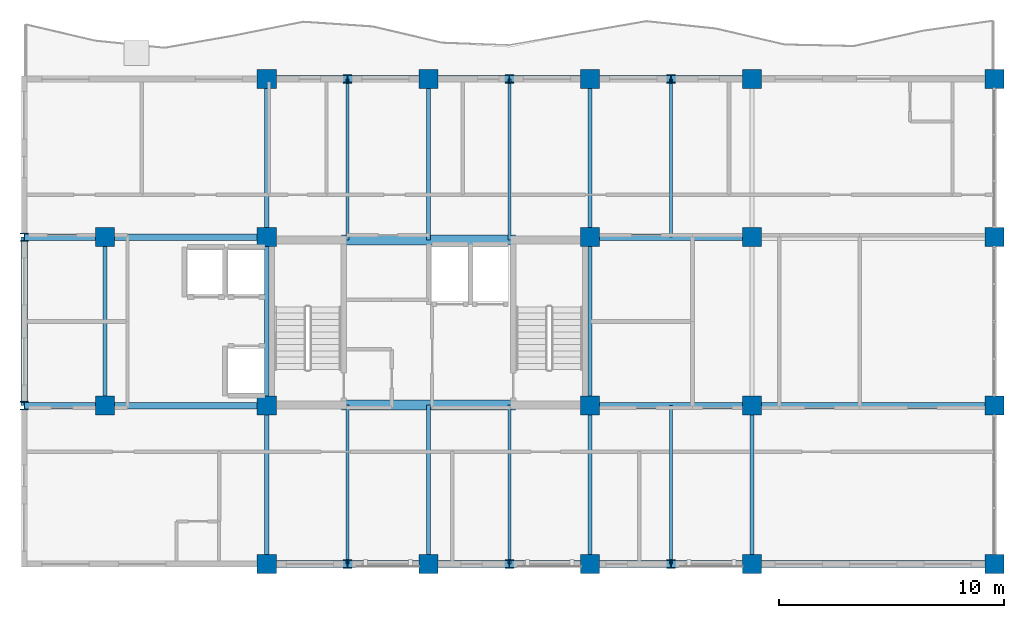
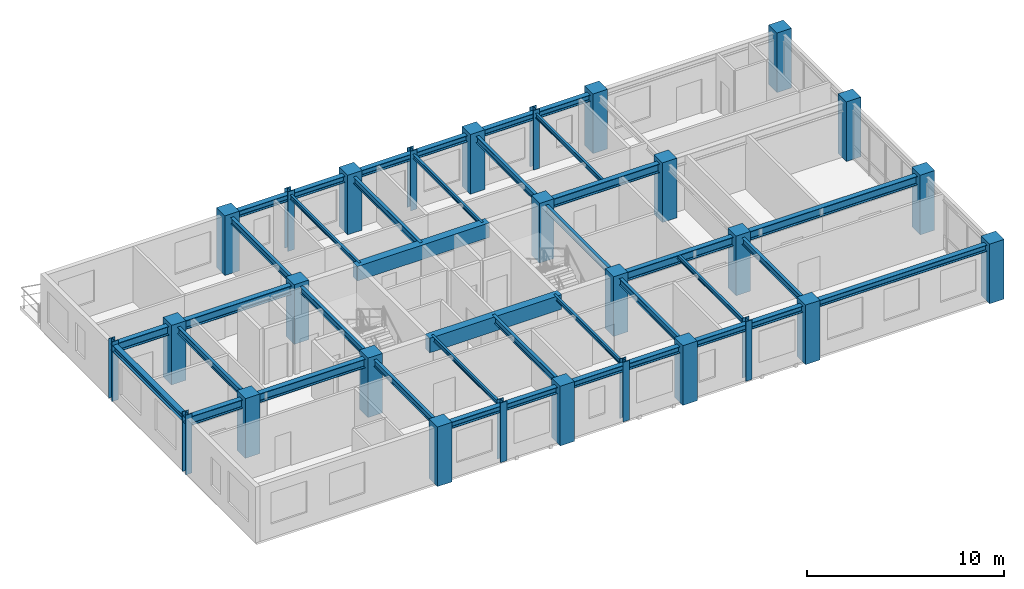
# One storey, part 1 of 11: 39 beams, 28 columns.
"""IFC4 building model written with IfcOpenShell, lengths in metres."""

import ifcopenshell
import ifcopenshell.guid

model = None  # the IFC model being written
_history = None  # IfcOwnerHistory: only IFC2X3 demands one
_inside = {}  # id of a spatial element -> (the spatial element, [elements in it])
_under = {}  # id of a project, library or spatial element -> (it, [spatial elements below it])
_declared = {}  # id of a project -> (the project, [libraries it declares])
_typed = {}  # id of a type object -> (the type object, [elements of that type])
_made_of = {}  # id of a material, layer set ... -> (it, [elements and type objects made of it])


def new_model(schema):
    """Start an empty IFC model of exactly this schema.

    Asked for "IFC4X3", IfcOpenShell would pick the latest addendum, in which some entities
    have other attributes; the version numbers below select the first issue.
    IFC2X3 requires an IfcOwnerHistory on every rooted entity: one is made here for all.
    """
    global model, _history
    if schema == "IFC4X3":
        model = ifcopenshell.file(schema_version=(4, 3, 0, 0))
    else:
        model = ifcopenshell.file(schema=schema)
    _inside.clear()
    _under.clear()
    _declared.clear()
    _typed.clear()
    _made_of.clear()
    _history = None
    if model.schema == "IFC2X3":
        org = make("IfcOrganization", Name="unknown")
        user = make(
            "IfcPersonAndOrganization",
            ThePerson=make("IfcPerson", FamilyName="unknown"),
            TheOrganization=org,
        )
        app = make(
            "IfcApplication",
            ApplicationDeveloper=org,
            Version="unknown",
            ApplicationFullName="unknown",
            ApplicationIdentifier="unknown",
        )
        _history = make(
            "IfcOwnerHistory",
            OwningUser=user,
            OwningApplication=app,
            ChangeAction="ADDED",
            CreationDate=0,
        )
    return model


def make(cls, **values):
    """One entity of the class cls with the attributes given. An attribute that is None is left unset."""
    return model.create_entity(
        cls, **{name: value for name, value in values.items() if value is not None}
    )


def rooted(cls, **values):
    """An entity with a GlobalId (a new one), such as an element, a storey or a relation."""
    return make(cls, GlobalId=ifcopenshell.guid.new(), OwnerHistory=_history, **values)


def si_unit(unit_type, name, prefix=None):
    """IfcSIUnit, for example si_unit("LENGTHUNIT", "METRE", prefix="MILLI")."""
    return make("IfcSIUnit", UnitType=unit_type, Prefix=prefix, Name=name)


def assignment(units):
    """IfcUnitAssignment: the units of a project."""
    return None if units is None else make("IfcUnitAssignment", Units=units)


def point(xyz):
    """IfcCartesianPoint."""
    return None if xyz is None else make("IfcCartesianPoint", Coordinates=xyz)


def direction(xyz):
    """IfcDirection."""
    return None if xyz is None else make("IfcDirection", DirectionRatios=xyz)


def frame(location, z_axis=None, x_axis=None):
    """IfcAxis2Placement3D, a coordinate frame: its origin and axes. An axis left out is left unset."""
    return make(
        "IfcAxis2Placement3D",
        Location=point(location),
        Axis=direction(z_axis),
        RefDirection=direction(x_axis),
    )


def frame_2d(location, x_axis=None):
    """IfcAxis2Placement2D, a coordinate frame in the plane: its origin and x axis."""
    return make(
        "IfcAxis2Placement2D", Location=point(location), RefDirection=direction(x_axis)
    )


def origin():
    """The frame at (0, 0, 0) with its axes left unset."""
    return frame((0.0, 0.0, 0.0))


def origin_2d():
    """The frame at (0, 0) in the plane with its x axis left unset."""
    return frame_2d((0.0, 0.0))


def place(relative_to, where):
    """IfcLocalPlacement: puts the frame where relative to a parent placement (None: the world)."""
    return make(
        "IfcLocalPlacement", PlacementRelTo=relative_to, RelativePlacement=where
    )


def context(
    kind, dimensions, precision=None, world=None, true_north=None, identifier=None
):
    """IfcGeometricRepresentationContext, for example the 3D "Model" context."""
    return make(
        "IfcGeometricRepresentationContext",
        ContextIdentifier=identifier,
        ContextType=kind,
        CoordinateSpaceDimension=dimensions,
        Precision=precision,
        WorldCoordinateSystem=world,
        TrueNorth=true_north,
    )


def subcontext(parent, identifier, kind, view, scale=None):
    """IfcGeometricRepresentationSubContext, for example "Body" below "Model"."""
    return make(
        "IfcGeometricRepresentationSubContext",
        ContextIdentifier=identifier,
        ContextType=kind,
        ParentContext=parent,
        TargetScale=scale,
        TargetView=view,
    )


def project(units=None, contexts=None):
    """IfcProject with its units and contexts."""
    return rooted(
        "IfcProject",
        Name="project",
        RepresentationContexts=contexts,
        UnitsInContext=assignment(units),
    )


def spatial(cls, under=None, at=None, **own):
    """A site, building, storey or space (cls), placed at a placement, below another one or the project."""
    s = rooted(cls, ObjectPlacement=at, **own)
    if under is not None:
        _under.setdefault(under.id(), (under, []))[1].append(s)
    return s


def profile(cls, at=None, kind="AREA", **sizes):
    """A parametric profile (cls). Its sizes go by their IFC names, for example OverallWidth=200.0."""
    return make(cls, ProfileType=kind, Position=at, **sizes)


def rectangle(**sizes):
    """IfcRectangleProfileDef."""
    return profile("IfcRectangleProfileDef", **sizes)


def i_section(**sizes):
    """IfcIShapeProfileDef."""
    return profile("IfcIShapeProfileDef", **sizes)


def extrude(swept, where, along, depth):
    """IfcExtrudedAreaSolid: the profile swept, set in the frame where, extruded along a direction by depth."""
    return make(
        "IfcExtrudedAreaSolid",
        SweptArea=swept,
        Position=where,
        ExtrudedDirection=direction(along),
        Depth=depth,
    )


def shape(context_of_items, identifier, shape_type, items):
    """IfcShapeRepresentation: the items that make up one representation, for example the "Body"."""
    return make(
        "IfcShapeRepresentation",
        ContextOfItems=context_of_items,
        RepresentationIdentifier=identifier,
        RepresentationType=shape_type,
        Items=items,
    )


def source(mapping_origin, context_of_items, identifier, shape_type, items):
    """IfcRepresentationMap: a shape defined once, which mapped items show again and again."""
    return make(
        "IfcRepresentationMap",
        MappingOrigin=mapping_origin,
        MappedRepresentation=shape(context_of_items, identifier, shape_type, items),
    )


def transform(
    local_origin,
    x_axis=None,
    y_axis=None,
    z_axis=None,
    scale=None,
    scale2=None,
    scale3=None,
    uniform=True,
):
    """IfcCartesianTransformationOperator3D, or its non-uniform kind. x_axis, y_axis, z_axis: its Axis1, 2, 3."""
    if uniform:
        return make(
            "IfcCartesianTransformationOperator3D",
            Axis1=direction(x_axis),
            Axis2=direction(y_axis),
            LocalOrigin=point(local_origin),
            Scale=scale,
            Axis3=direction(z_axis),
        )
    return make(
        "IfcCartesianTransformationOperator3DnonUniform",
        Axis1=direction(x_axis),
        Axis2=direction(y_axis),
        LocalOrigin=point(local_origin),
        Scale=scale,
        Axis3=direction(z_axis),
        Scale2=scale2,
        Scale3=scale3,
    )


def mapped(mapping_source, mapping_target):
    """IfcMappedItem: shows the shape of a source again, moved by a transform."""
    return make(
        "IfcMappedItem", MappingSource=mapping_source, MappingTarget=mapping_target
    )


def material(Name=None, Category=None):
    """IfcMaterial."""
    return make("IfcMaterial", Name=Name, Category=Category)


def material_profile(
    of_material, cross_section, Name=None, Category=None, Priority=None
):
    """IfcMaterialProfile: a cross section and its material."""
    return make(
        "IfcMaterialProfile",
        Name=Name,
        Material=of_material,
        Profile=cross_section,
        Priority=Priority,
        Category=Category,
    )


def profile_set(profiles, Name=None, composite=None):
    """IfcMaterialProfileSet."""
    return make(
        "IfcMaterialProfileSet",
        Name=Name,
        MaterialProfiles=profiles,
        CompositeProfile=composite,
    )


def made_of(thing, what):
    """Note that an element or type object is made of a material, layer set ...; save() writes the relation."""
    if what is not None:
        _made_of.setdefault(what.id(), (what, []))[1].append(thing)
    return thing


def type_object(cls, material=None, **own):
    """A type object (cls), such as IfcWallType, which elements share."""
    return made_of(rooted(cls, **own), material)


def element(
    cls,
    number,
    at=None,
    inside=None,
    cuts=None,
    type_object=None,
    material=None,
    context=None,
    identifier="Body",
    shape_type=None,
    held_by="IfcProductDefinitionShape",
    body=None,
    shapes=None,
    **own,
):
    """One element of the class cls, such as IfcWall. Its Tag is "e" and its number.

    at: its placement. inside: the storey or other place that contains it. cuts: it is an
    opening in that element (IfcRelVoidsElement). A single representation is given by context,
    identifier, shape_type and body (its items); several are given by shapes. held_by: the class
    of the entity that holds the representations. save() writes the other relations.
    """
    e = rooted(cls, Tag="e%d" % number, ObjectPlacement=at, **own)
    if body is not None:
        shapes = [shape(context, identifier, shape_type, body)]
    if shapes is not None:
        e.Representation = make(held_by, Representations=shapes)
    if inside is not None:
        _inside.setdefault(inside.id(), (inside, []))[1].append(e)
    if cuts is not None:
        rooted(
            "IfcRelVoidsElement", RelatingBuildingElement=cuts, RelatedOpeningElement=e
        )
    if type_object is not None:
        _typed.setdefault(type_object.id(), (type_object, []))[1].append(e)
    return made_of(e, material)


def aggregate(whole, parts):
    """IfcRelAggregates: a whole, such as a stair, and the parts it consists of."""
    return rooted("IfcRelAggregates", RelatingObject=whole, RelatedObjects=parts)


def save(model, path):
    """Write the relations noted so far, then the file.

    IfcRelAggregates (storeys below a building ...), IfcRelContainedInSpatialStructure (elements
    in a storey), IfcRelDefinesByType, IfcRelAssociatesMaterial and IfcRelDeclares: one each for
    every whole, place, type object, material and project.
    """
    for whole, parts in _under.values():
        aggregate(whole, parts)
    for where, things in _inside.values():
        rooted(
            "IfcRelContainedInSpatialStructure",
            RelatedElements=things,
            RelatingStructure=where,
        )
    for kind, things in _typed.values():
        rooted("IfcRelDefinesByType", RelatedObjects=things, RelatingType=kind)
    for what, things in _made_of.values():
        rooted("IfcRelAssociatesMaterial", RelatedObjects=things, RelatingMaterial=what)
    for by, libraries in _declared.values():
        rooted("IfcRelDeclares", RelatingContext=by, RelatedDefinitions=libraries)
    model.write(path)


model = new_model("IFC4")

# Units and contexts
model_context = context("Model", 3, precision=1e-05, world=origin(), true_north=direction((0.0, 1.0)))
body_context = subcontext(model_context, "Body", "Model", "MODEL_VIEW")
ifc_project = project(units=[si_unit("LENGTHUNIT", "METRE"), si_unit("AREAUNIT", "SQUARE_METRE"), si_unit("VOLUMEUNIT", "CUBIC_METRE"), si_unit("PLANEANGLEUNIT", "RADIAN"), si_unit("MASSUNIT", "GRAM", prefix="KILO")], contexts=[model_context])

# Site, building, storey
site_placement = place(None, origin())
site = spatial("IfcSite", under=ifc_project, at=site_placement, CompositionType="ELEMENT")
building_placement = place(site_placement, origin())
building = spatial("IfcBuilding", under=site, at=building_placement, Name="Kaliganga Portal Commons", CompositionType="ELEMENT")
storey_placement = place(building_placement, frame((0.0, 0.0, 257.300048828125)))
storey = spatial("IfcBuildingStorey", under=building, at=storey_placement, Name="L66", CompositionType="ELEMENT", Elevation=257.300048828125)

# Columns
ifc_material_1 = material(Name="Concrete C50/60", Category="concrete")
ifc_material_profile_1 = material_profile(ifc_material_1, rectangle(XDim=0.85009765625, YDim=0.85009765625, at=origin_2d()), Name="RC 850x850")
ifc_profile_set_1 = profile_set([ifc_material_profile_1], Name="Concrete C50/60")
column_type_1 = type_object("IfcColumnType", Name="COL-MEGA-Z5", PredefinedType="COLUMN", material=ifc_profile_set_1)
shared_shape_1 = source(origin(), body_context, "Body", "SweptSolid", [
    extrude(rectangle(XDim=0.85009765625, YDim=0.85009765625, at=origin_2d()), origin(), (0.0, 0.0, 1.0), 3.699951171875),
])
for number, where, z_axis, x_axis, name in (
    (1, (7.199951171875, 28.64990234375, 0.0), (0.0, 0.0, 1.0), (1.0, 0.0, 0.0), "Column MC-06 L66"),
    (2, (7.199951171875, 36.14990234375, 0.0), (0.0, 0.0, 1.0), (1.0, 0.0, 0.0), "Column MC-06 L66"),
    (3, (14.39990234375, 21.60009765625, 0.0), (0.0, 0.0, 1.0), (1.0, 0.0, 0.0), "Column MC-06 L66"),
    (4, (14.39990234375, 28.64990234375, 0.0), (0.0, 0.0, 1.0), (1.0, 0.0, 0.0), "Column MC-06 L66"),
    (5, (14.39990234375, 36.14990234375, 0.0), (0.0, 0.0, 1.0), (1.0, 0.0, 0.0), "Column MC-06 L66"),
    (6, (14.39990234375, 43.199951171875, 0.0), (0.0, 0.0, 1.0), (1.0, 0.0, 0.0), "Column MC-06 L66"),
    (7, (21.60009765625, 21.60009765625, 0.0), (0.0, 0.0, 1.0), (1.0, 0.0, 0.0), "Column MC-06 L66"),
    (8, (21.60009765625, 43.199951171875, 0.0), (0.0, 0.0, 1.0), (1.0, 0.0, 0.0), "Column MC-06 L66"),
    (9, (28.800048828125, 21.60009765625, 0.0), (0.0, 0.0, 1.0), (1.0, 0.0, 0.0), "Column MC-06 L66"),
    (10, (28.800048828125, 28.64990234375, 0.0), (0.0, 0.0, 1.0), (1.0, 0.0, 0.0), "Column MC-06 L66"),
    (11, (28.800048828125, 36.14990234375, 0.0), (0.0, 0.0, 1.0), (1.0, 0.0, 0.0), "Column MC-06 L66"),
    (12, (28.800048828125, 43.199951171875, 0.0), (0.0, 0.0, 1.0), (1.0, 0.0, 0.0), "Column MC-06 L66"),
    (13, (36.0, 21.60009765625, 0.0), (0.0, 0.0, 1.0), (1.0, 0.0, 0.0), "Column MC-06 L66"),
    (14, (36.0, 43.199951171875, 0.0), (0.0, 0.0, 1.0), (1.0, 0.0, 0.0), "Column MC-06 L66"),
    (15, (36.0, 28.64990234375, 0.0), (0.0, 0.0, 1.0), (1.0, 0.0, 0.0), "Column MC-06 L66"),
    (16, (36.0, 36.14990234375, 0.0), (0.0, 0.0, 1.0), (1.0, 0.0, 0.0), "Column MC-06 L66"),
    (17, (46.800048828125, 21.60009765625, 0.0), (0.0, 0.0, 1.0), (1.0, 0.0, 0.0), "Column MC-06 L66"),
    (18, (46.800048828125, 28.64990234375, 0.0), (0.0, 0.0, 1.0), (1.0, 0.0, 0.0), "Column MC-06 L66"),
    (19, (46.800048828125, 36.14990234375, 0.0), (0.0, 0.0, 1.0), (1.0, 0.0, 0.0), "Column MC-06 L66"),
    (20, (46.800048828125, 43.199951171875, 0.0), (0.0, 0.0, 1.0), (1.0, 0.0, 0.0), "Column MC-06 L66"),
):
    element("IfcColumn", number, at=place(storey_placement, frame(where, z_axis=z_axis, x_axis=x_axis)), inside=storey, type_object=column_type_1, Name=name, PredefinedType="COLUMN", context=body_context, shape_type="MappedRepresentation", body=[
        mapped(shared_shape_1, transform((0.0, 0.0, 0.0), x_axis=(1.0, 0.0, 0.0), y_axis=(0.0, 1.0, 0.0), z_axis=(0.0, 0.0, 1.0), scale=1.0)),
    ])
ifc_material_2 = material(Name="Structural steel S355J2", Category="steel")
ifc_material_profile_2 = material_profile(ifc_material_2, i_section(OverallWidth=0.3740234375, OverallDepth=0.3720703125, WebThickness=0.014892578125, FlangeThickness=0.02587890625, FilletRadius=0.014892578125, at=origin_2d()), Name="HD 360x196")
ifc_profile_set_2 = profile_set([ifc_material_profile_2], Name="Structural steel S355J2 wide-flange")
column_type_2 = type_object("IfcColumnType", Name="COL-TUBE-B5", PredefinedType="COLUMN", material=ifc_profile_set_2)
shared_shape_2 = source(origin(), body_context, "Body", "SweptSolid", [
    extrude(i_section(OverallWidth=0.3740234375, OverallDepth=0.3720703125, WebThickness=0.014892578125, FlangeThickness=0.02587890625, FilletRadius=0.014892578125, at=origin_2d()), origin(), (0.0, 0.0, 1.0), 3.699951171875),
])
for number, where, z_axis, x_axis, name in (
    (21, (3.60009765625, 28.64990234375, 0.0), (0.0, 0.0, 1.0), (1.0, 0.0, 0.0), "Column TC-05 L66"),
    (22, (3.60009765625, 36.14990234375, 0.0), (0.0, 0.0, 1.0), (1.0, 0.0, 0.0), "Column TC-05 L66"),
    (23, (18.0, 21.60009765625, 0.0), (0.0, 0.0, 1.0), (1.0, 0.0, 0.0), "Column TC-05 L66"),
    (24, (18.0, 43.199951171875, 0.0), (0.0, 0.0, 1.0), (1.0, 0.0, 0.0), "Column TC-05 L66"),
    (25, (25.199951171875, 21.60009765625, 0.0), (0.0, 0.0, 1.0), (1.0, 0.0, 0.0), "Column TC-05 L66"),
    (26, (25.199951171875, 43.199951171875, 0.0), (0.0, 0.0, 1.0), (1.0, 0.0, 0.0), "Column TC-05 L66"),
    (27, (32.39990234375, 21.60009765625, 0.0), (0.0, 0.0, 1.0), (1.0, 0.0, 0.0), "Column TC-05 L66"),
    (28, (32.39990234375, 43.199951171875, 0.0), (0.0, 0.0, 1.0), (1.0, 0.0, 0.0), "Column TC-05 L66"),
):
    element("IfcColumn", number, at=place(storey_placement, frame(where, z_axis=z_axis, x_axis=x_axis)), inside=storey, type_object=column_type_2, Name=name, PredefinedType="COLUMN", context=body_context, shape_type="MappedRepresentation", body=[
        mapped(shared_shape_2, transform((0.0, 0.0, 0.0), x_axis=(1.0, 0.0, 0.0), y_axis=(0.0, 1.0, 0.0), z_axis=(0.0, 0.0, 1.0), scale=1.0)),
    ])

# Beams
ifc_material_profile_3 = material_profile(ifc_material_1, rectangle(XDim=0.449951171875, YDim=0.89990234375, at=origin_2d()), Name="RC 450x900")
ifc_profile_set_3 = profile_set([ifc_material_profile_3], Name="Concrete C50/60")
beam_type_1 = type_object("IfcBeamType", Name="BM-CPL-900", PredefinedType="LINTEL", material=ifc_profile_set_3)
shared_shape_3 = source(origin(), body_context, "Body", "SweptSolid", [
    extrude(rectangle(XDim=0.449951171875, YDim=0.89990234375, at=origin_2d()), origin(), (0.0, 0.0, 1.0), 7.739990234375),
])
for number, where, z_axis, x_axis, name in (
    (29, (17.72998046875, 28.675048828125, 3.02490234375), (1.0, 0.0, 0.0), (0.0, 1.0, 0.0), "BM CPL COREA L66 S"),
    (30, (17.72998046875, 36.02490234375, 3.02490234375), (1.0, 0.0, 0.0), (0.0, 1.0, 0.0), "BM CPL COREA L66 N"),
):
    element("IfcBeam", number, at=place(storey_placement, frame(where, z_axis=z_axis, x_axis=x_axis)), inside=storey, type_object=beam_type_1, Name=name, PredefinedType="LINTEL", context=body_context, shape_type="MappedRepresentation", body=[
        mapped(shared_shape_3, transform((0.0, 0.0, 0.0), x_axis=(1.0, 0.0, 0.0), y_axis=(0.0, 1.0, 0.0), z_axis=(0.0, 0.0, 1.0), scale=1.0)),
    ])
ifc_material_profile_4 = material_profile(ifc_material_2, i_section(OverallWidth=0.300048828125, OverallDepth=0.39990234375, WebThickness=0.013427734375, FlangeThickness=0.02392578125, FilletRadius=0.027099609375, at=origin_2d()), Name="HE 400 B")
ifc_profile_set_4 = profile_set([ifc_material_profile_4], Name="Structural steel S355J2 wide-flange")
beam_type_2 = type_object("IfcBeamType", Name="BM-SPAND-400", PredefinedType="SPANDREL", material=ifc_profile_set_4)
shared_shape_4 = source(origin(), body_context, "Body", "SweptSolid", [
    extrude(i_section(OverallWidth=0.300048828125, OverallDepth=0.39990234375, WebThickness=0.013427734375, FlangeThickness=0.02392578125, FilletRadius=0.027099609375, at=origin_2d()), origin(), (0.0, 0.0, 1.0), 3.60009765625),
])
for number, where, z_axis, x_axis, name in (
    (31, (14.39990234375, 43.199951171875, 3.27490234375), (1.0, 0.0, 0.0), (0.0, 1.0, 0.0), "BM SP L66 AN 1"),
    (32, (18.0, 43.199951171875, 3.27490234375), (1.0, 0.0, 0.0), (0.0, 1.0, 0.0), "BM SP L66 AN 2"),
    (33, (25.199951171875, 43.199951171875, 3.27490234375), (1.0, 0.0, 0.0), (0.0, 1.0, 0.0), "BM SP L66 AN 4"),
    (34, (32.39990234375, 43.199951171875, 3.27490234375), (1.0, 0.0, 0.0), (0.0, 1.0, 0.0), "BM SP L66 AN 6"),
    (35, (14.39990234375, 21.60009765625, 3.27490234375), (1.0, 0.0, 0.0), (0.0, 1.0, 0.0), "BM SP L66 AS 1"),
    (36, (18.0, 21.60009765625, 3.27490234375), (1.0, 0.0, 0.0), (0.0, 1.0, 0.0), "BM SP L66 AS 2"),
    (37, (25.199951171875, 21.60009765625, 3.27490234375), (1.0, 0.0, 0.0), (0.0, 1.0, 0.0), "BM SP L66 AS 4"),
    (38, (32.39990234375, 21.60009765625, 3.27490234375), (1.0, 0.0, 0.0), (0.0, 1.0, 0.0), "BM SP L66 AS 6"),
):
    element("IfcBeam", number, at=place(storey_placement, frame(where, z_axis=z_axis, x_axis=x_axis)), inside=storey, type_object=beam_type_2, Name=name, PredefinedType="SPANDREL", context=body_context, shape_type="MappedRepresentation", body=[
        mapped(shared_shape_4, transform((0.0, 0.0, 0.0), x_axis=(1.0, 0.0, 0.0), y_axis=(0.0, 1.0, 0.0), z_axis=(0.0, 0.0, 1.0), scale=1.0)),
    ])
shared_shape_5 = source(origin(), body_context, "Body", "SweptSolid", [
    extrude(i_section(OverallWidth=0.300048828125, OverallDepth=0.39990234375, WebThickness=0.013427734375, FlangeThickness=0.02392578125, FilletRadius=0.027099609375, at=origin_2d()), origin(), (0.0, 0.0, 1.0), 3.599853515625),
])
for number, where, z_axis, x_axis, name in (
    (39, (21.60009765625, 43.199951171875, 3.27490234375), (1.0, 0.0, 0.0), (0.0, 1.0, 0.0), "BM SP L66 AN 3"),
    (40, (28.800048828125, 43.199951171875, 3.27490234375), (1.0, 0.0, 0.0), (0.0, 1.0, 0.0), "BM SP L66 AN 5"),
    (41, (21.60009765625, 21.60009765625, 3.27490234375), (1.0, 0.0, 0.0), (0.0, 1.0, 0.0), "BM SP L66 AS 3"),
    (42, (28.800048828125, 21.60009765625, 3.27490234375), (1.0, 0.0, 0.0), (0.0, 1.0, 0.0), "BM SP L66 AS 5"),
):
    element("IfcBeam", number, at=place(storey_placement, frame(where, z_axis=z_axis, x_axis=x_axis)), inside=storey, type_object=beam_type_2, Name=name, PredefinedType="SPANDREL", context=body_context, shape_type="MappedRepresentation", body=[
        mapped(shared_shape_5, transform((0.0, 0.0, 0.0), x_axis=(1.0, 0.0, 0.0), y_axis=(0.0, 1.0, 0.0), z_axis=(0.0, 0.0, 1.0), scale=1.0)),
    ])
shared_shape_6 = source(origin(), body_context, "Body", "SweptSolid", [
    extrude(i_section(OverallWidth=0.300048828125, OverallDepth=0.39990234375, WebThickness=0.013427734375, FlangeThickness=0.02392578125, FilletRadius=0.027099609375, at=origin_2d()), origin(), (0.0, 0.0, 1.0), 10.800048828125),
])
beam_1_placement = place(storey_placement, frame((36.0, 21.60009765625, 3.27490234375), z_axis=(1.0, 0.0, 0.0), x_axis=(0.0, 1.0, 0.0)))
element("IfcBeam", 43, at=beam_1_placement, inside=storey, type_object=beam_type_2, Name="BM SP L66 AS 7", PredefinedType="SPANDREL", context=body_context, shape_type="MappedRepresentation", body=[
    mapped(shared_shape_6, transform((0.0, 0.0, 0.0), x_axis=(1.0, 0.0, 0.0), y_axis=(0.0, 1.0, 0.0), z_axis=(0.0, 0.0, 1.0), scale=1.0)),
])
ifc_material_profile_5 = material_profile(ifc_material_2, i_section(OverallWidth=0.300048828125, OverallDepth=0.550048828125, WebThickness=0.014892578125, FlangeThickness=0.029052734375, FilletRadius=0.027099609375, at=origin_2d()), Name="HE 550 B")
ifc_profile_set_5 = profile_set([ifc_material_profile_5], Name="Structural steel S355J2 wide-flange")
beam_type_3 = type_object("IfcBeamType", Name="BM-GIRD-550", PredefinedType="USERDEFINED", material=ifc_profile_set_5)
shared_shape_7 = source(origin(), body_context, "Body", "SweptSolid", [
    extrude(i_section(OverallWidth=0.300048828125, OverallDepth=0.550048828125, WebThickness=0.014892578125, FlangeThickness=0.029052734375, FilletRadius=0.027099609375, at=origin_2d()), origin(), (0.0, 0.0, 1.0), 7.199951171875),
])
for number, where, z_axis, x_axis, name in (
    (44, (7.199951171875, 28.64990234375, 3.199951171875), (1.0, 0.0, 0.0), (0.0, 1.0, 0.0), "BM G L66 WAH_S 2"),
    (45, (7.199951171875, 36.14990234375, 3.199951171875), (1.0, 0.0, 0.0), (0.0, 1.0, 0.0), "BM G L66 WAH_N 2"),
    (46, (28.800048828125, 28.64990234375, 3.199951171875), (1.0, 0.0, 0.0), (0.0, 1.0, 0.0), "BM G L66 WAE_S 1"),
    (47, (28.800048828125, 36.14990234375, 3.199951171875), (1.0, 0.0, 0.0), (0.0, 1.0, 0.0), "BM G L66 WAE_N 1"),
):
    element("IfcBeam", number, at=place(storey_placement, frame(where, z_axis=z_axis, x_axis=x_axis)), inside=storey, type_object=beam_type_3, Name=name, ObjectType="GIRDER", PredefinedType="USERDEFINED", context=body_context, shape_type="MappedRepresentation", body=[
        mapped(shared_shape_7, transform((0.0, 0.0, 0.0), x_axis=(1.0, 0.0, 0.0), y_axis=(0.0, 1.0, 0.0), z_axis=(0.0, 0.0, 1.0), scale=1.0)),
    ])
shared_shape_8 = source(origin(), body_context, "Body", "SweptSolid", [
    extrude(i_section(OverallWidth=0.300048828125, OverallDepth=0.550048828125, WebThickness=0.014892578125, FlangeThickness=0.029052734375, FilletRadius=0.027099609375, at=origin_2d()), origin(), (0.0, 0.0, 1.0), 10.800048828125),
])
beam_2_placement = place(storey_placement, frame((36.0, 28.64990234375, 3.199951171875), z_axis=(1.0, 0.0, 0.0), x_axis=(0.0, 1.0, 0.0)))
element("IfcBeam", 48, at=beam_2_placement, inside=storey, type_object=beam_type_3, Name="BM G L66 WAE_S 2", ObjectType="GIRDER", PredefinedType="USERDEFINED", context=body_context, shape_type="MappedRepresentation", body=[
    mapped(shared_shape_8, transform((0.0, 0.0, 0.0), x_axis=(1.0, 0.0, 0.0), y_axis=(0.0, 1.0, 0.0), z_axis=(0.0, 0.0, 1.0), scale=1.0)),
])
shared_shape_9 = source(origin(), body_context, "Body", "SweptSolid", [
    extrude(i_section(OverallWidth=0.300048828125, OverallDepth=0.550048828125, WebThickness=0.014892578125, FlangeThickness=0.029052734375, FilletRadius=0.027099609375, at=origin_2d()), origin(), (0.0, 0.0, 1.0), 3.599853515625),
])
for number, where, z_axis, x_axis, name in (
    (49, (3.60009765625, 28.64990234375, 3.199951171875), (1.0, 0.0, 0.0), (0.0, 1.0, 0.0), "BM G L66 WAH_S 1"),
    (50, (3.60009765625, 36.14990234375, 3.199951171875), (1.0, 0.0, 0.0), (0.0, 1.0, 0.0), "BM G L66 WAH_N 1"),
):
    element("IfcBeam", number, at=place(storey_placement, frame(where, z_axis=z_axis, x_axis=x_axis)), inside=storey, type_object=beam_type_3, Name=name, ObjectType="GIRDER", PredefinedType="USERDEFINED", context=body_context, shape_type="MappedRepresentation", body=[
        mapped(shared_shape_9, transform((0.0, 0.0, 0.0), x_axis=(1.0, 0.0, 0.0), y_axis=(0.0, 1.0, 0.0), z_axis=(0.0, 0.0, 1.0), scale=1.0)),
    ])
shared_shape_10 = source(origin(), body_context, "Body", "SweptSolid", [
    extrude(i_section(OverallWidth=0.300048828125, OverallDepth=0.39990234375, WebThickness=0.013427734375, FlangeThickness=0.02392578125, FilletRadius=0.027099609375, at=origin_2d()), origin(), (0.0, 0.0, 1.0), 7.5),
])
beam_3_placement = place(storey_placement, frame((3.60009765625, 28.64990234375, 3.27490234375), z_axis=(0.0, 1.0, 0.0), x_axis=(-1.0, 0.0, 0.0)))
element("IfcBeam", 51, at=beam_3_placement, inside=storey, type_object=beam_type_2, Name="BM SP L66 AW", PredefinedType="SPANDREL", context=body_context, shape_type="MappedRepresentation", body=[
    mapped(shared_shape_10, transform((0.0, 0.0, 0.0), x_axis=(1.0, 0.0, 0.0), y_axis=(0.0, 1.0, 0.0), z_axis=(0.0, 0.0, 1.0), scale=1.0)),
])
ifc_material_profile_6 = material_profile(ifc_material_2, i_section(OverallWidth=0.135009765625, OverallDepth=0.27001953125, WebThickness=0.006591796875, FlangeThickness=0.01025390625, FilletRadius=0.014892578125, at=origin_2d()), Name="IPE 270")
ifc_profile_set_6 = profile_set([ifc_material_profile_6], Name="Structural steel S355J2 wide-flange")
beam_type_4 = type_object("IfcBeamType", Name="BM-JST-270", PredefinedType="JOIST", material=ifc_profile_set_6)
shared_shape_11 = source(origin(), body_context, "Body", "SweptSolid", [
    extrude(i_section(OverallWidth=0.135009765625, OverallDepth=0.27001953125, WebThickness=0.006591796875, FlangeThickness=0.01025390625, FilletRadius=0.014892578125, at=origin_2d()), origin(), (0.0, 0.0, 1.0), 7.175048828125),
])
for number, where, z_axis, x_axis, name in (
    (52, (18.0, 36.02490234375, 3.33984375), (0.0, 1.0, 0.0), (-1.0, 0.0, 0.0), "BM G L66 AN180"),
    (53, (25.199951171875, 36.02490234375, 3.33984375), (0.0, 1.0, 0.0), (-1.0, 0.0, 0.0), "BM G L66 AN252"),
):
    element("IfcBeam", number, at=place(storey_placement, frame(where, z_axis=z_axis, x_axis=x_axis)), inside=storey, type_object=beam_type_4, Name=name, PredefinedType="JOIST", context=body_context, shape_type="MappedRepresentation", body=[
        mapped(shared_shape_11, transform((0.0, 0.0, 0.0), x_axis=(1.0, 0.0, 0.0), y_axis=(0.0, 1.0, 0.0), z_axis=(0.0, 0.0, 1.0), scale=1.0)),
    ])
shared_shape_12 = source(origin(), body_context, "Body", "SweptSolid", [
    extrude(i_section(OverallWidth=0.135009765625, OverallDepth=0.27001953125, WebThickness=0.006591796875, FlangeThickness=0.01025390625, FilletRadius=0.014892578125, at=origin_2d()), origin(), (0.0, 0.0, 1.0), 7.074951171875),
])
for number, where, z_axis, x_axis, name in (
    (54, (18.0, 21.60009765625, 3.33984375), (0.0, 1.0, 0.0), (-1.0, 0.0, 0.0), "BM G L66 AS180"),
    (55, (25.199951171875, 21.60009765625, 3.33984375), (0.0, 1.0, 0.0), (-1.0, 0.0, 0.0), "BM G L66 AS252"),
):
    element("IfcBeam", number, at=place(storey_placement, frame(where, z_axis=z_axis, x_axis=x_axis)), inside=storey, type_object=beam_type_4, Name=name, PredefinedType="JOIST", context=body_context, shape_type="MappedRepresentation", body=[
        mapped(shared_shape_12, transform((0.0, 0.0, 0.0), x_axis=(1.0, 0.0, 0.0), y_axis=(0.0, 1.0, 0.0), z_axis=(0.0, 0.0, 1.0), scale=1.0)),
    ])
shared_shape_13 = source(origin(), body_context, "Body", "SweptSolid", [
    extrude(i_section(OverallWidth=0.135009765625, OverallDepth=0.27001953125, WebThickness=0.006591796875, FlangeThickness=0.01025390625, FilletRadius=0.014892578125, at=origin_2d()), origin(), (0.0, 0.0, 1.0), 7.050048828125),
])
beam_4_placement = place(storey_placement, frame((32.39990234375, 36.14990234375, 3.33984375), z_axis=(0.0, 1.0, 0.0), x_axis=(-1.0, 0.0, 0.0)))
element("IfcBeam", 56, at=beam_4_placement, inside=storey, type_object=beam_type_4, Name="BM G L66 AN324", PredefinedType="JOIST", context=body_context, shape_type="MappedRepresentation", body=[
    mapped(shared_shape_13, transform((0.0, 0.0, 0.0), x_axis=(1.0, 0.0, 0.0), y_axis=(0.0, 1.0, 0.0), z_axis=(0.0, 0.0, 1.0), scale=1.0)),
])
shared_shape_14 = source(origin(), body_context, "Body", "SweptSolid", [
    extrude(i_section(OverallWidth=0.135009765625, OverallDepth=0.27001953125, WebThickness=0.006591796875, FlangeThickness=0.01025390625, FilletRadius=0.014892578125, at=origin_2d()), origin(), (0.0, 0.0, 1.0), 7.0498046875),
])
beam_5_placement = place(storey_placement, frame((32.39990234375, 21.60009765625, 3.33984375), z_axis=(0.0, 1.0, 0.0), x_axis=(-1.0, 0.0, 0.0)))
element("IfcBeam", 57, at=beam_5_placement, inside=storey, type_object=beam_type_4, Name="BM G L66 AS324", PredefinedType="JOIST", context=body_context, shape_type="MappedRepresentation", body=[
    mapped(shared_shape_14, transform((0.0, 0.0, 0.0), x_axis=(1.0, 0.0, 0.0), y_axis=(0.0, 1.0, 0.0), z_axis=(0.0, 0.0, 1.0), scale=1.0)),
])
ifc_material_profile_7 = material_profile(ifc_material_2, i_section(OverallWidth=0.179931640625, OverallDepth=0.39990234375, WebThickness=0.008544921875, FlangeThickness=0.013427734375, FilletRadius=0.02099609375, at=origin_2d()), Name="IPE 400")
ifc_profile_set_7 = profile_set([ifc_material_profile_7], Name="Structural steel S355J2 wide-flange")
beam_type_5 = type_object("IfcBeamType", Name="BM-FLR-400", PredefinedType="BEAM", material=ifc_profile_set_7)
shared_shape_15 = source(origin(), body_context, "Body", "SweptSolid", [
    extrude(i_section(OverallWidth=0.179931640625, OverallDepth=0.39990234375, WebThickness=0.008544921875, FlangeThickness=0.013427734375, FilletRadius=0.02099609375, at=origin_2d()), origin(), (0.0, 0.0, 1.0), 7.5),
])
for number, where, z_axis, x_axis, name in (
    (58, (7.199951171875, 28.64990234375, 3.27490234375), (0.0, 1.0, 0.0), (-1.0, 0.0, 0.0), "BM G L66 AW72"),
    (59, (14.39990234375, 28.64990234375, 3.27490234375), (0.0, 1.0, 0.0), (-1.0, 0.0, 0.0), "BM G L66 AM144"),
    (60, (28.800048828125, 28.64990234375, 3.27490234375), (0.0, 1.0, 0.0), (-1.0, 0.0, 0.0), "BM G L66 AM288"),
):
    element("IfcBeam", number, at=place(storey_placement, frame(where, z_axis=z_axis, x_axis=x_axis)), inside=storey, type_object=beam_type_5, Name=name, PredefinedType="BEAM", context=body_context, shape_type="MappedRepresentation", body=[
        mapped(shared_shape_15, transform((0.0, 0.0, 0.0), x_axis=(1.0, 0.0, 0.0), y_axis=(0.0, 1.0, 0.0), z_axis=(0.0, 0.0, 1.0), scale=1.0)),
    ])
shared_shape_16 = source(origin(), body_context, "Body", "SweptSolid", [
    extrude(i_section(OverallWidth=0.179931640625, OverallDepth=0.39990234375, WebThickness=0.008544921875, FlangeThickness=0.013427734375, FilletRadius=0.02099609375, at=origin_2d()), origin(), (0.0, 0.0, 1.0), 7.050048828125),
])
for number, where, z_axis, x_axis, name in (
    (61, (14.39990234375, 36.14990234375, 3.27490234375), (0.0, 1.0, 0.0), (-1.0, 0.0, 0.0), "BM G L66 AN144"),
    (62, (28.800048828125, 36.14990234375, 3.27490234375), (0.0, 1.0, 0.0), (-1.0, 0.0, 0.0), "BM G L66 AN288"),
):
    element("IfcBeam", number, at=place(storey_placement, frame(where, z_axis=z_axis, x_axis=x_axis)), inside=storey, type_object=beam_type_5, Name=name, PredefinedType="BEAM", context=body_context, shape_type="MappedRepresentation", body=[
        mapped(shared_shape_16, transform((0.0, 0.0, 0.0), x_axis=(1.0, 0.0, 0.0), y_axis=(0.0, 1.0, 0.0), z_axis=(0.0, 0.0, 1.0), scale=1.0)),
    ])
shared_shape_17 = source(origin(), body_context, "Body", "SweptSolid", [
    extrude(i_section(OverallWidth=0.179931640625, OverallDepth=0.39990234375, WebThickness=0.008544921875, FlangeThickness=0.013427734375, FilletRadius=0.02099609375, at=origin_2d()), origin(), (0.0, 0.0, 1.0), 7.0498046875),
])
for number, where, z_axis, x_axis, name in (
    (63, (14.39990234375, 21.60009765625, 3.27490234375), (0.0, 1.0, 0.0), (-1.0, 0.0, 0.0), "BM G L66 AS144"),
    (64, (28.800048828125, 21.60009765625, 3.27490234375), (0.0, 1.0, 0.0), (-1.0, 0.0, 0.0), "BM G L66 AS288"),
    (65, (36.0, 21.60009765625, 3.27490234375), (0.0, 1.0, 0.0), (-1.0, 0.0, 0.0), "BM G L66 AS360"),
):
    element("IfcBeam", number, at=place(storey_placement, frame(where, z_axis=z_axis, x_axis=x_axis)), inside=storey, type_object=beam_type_5, Name=name, PredefinedType="BEAM", context=body_context, shape_type="MappedRepresentation", body=[
        mapped(shared_shape_17, transform((0.0, 0.0, 0.0), x_axis=(1.0, 0.0, 0.0), y_axis=(0.0, 1.0, 0.0), z_axis=(0.0, 0.0, 1.0), scale=1.0)),
    ])
shared_shape_18 = source(origin(), body_context, "Body", "SweptSolid", [
    extrude(i_section(OverallWidth=0.179931640625, OverallDepth=0.39990234375, WebThickness=0.008544921875, FlangeThickness=0.013427734375, FilletRadius=0.02099609375, at=origin_2d()), origin(), (0.0, 0.0, 1.0), 7.175048828125),
])
beam_6_placement = place(storey_placement, frame((21.60009765625, 36.02490234375, 3.27490234375), z_axis=(0.0, 1.0, 0.0), x_axis=(-1.0, 0.0, 0.0)))
element("IfcBeam", 66, at=beam_6_placement, inside=storey, type_object=beam_type_5, Name="BM G L66 AN216", PredefinedType="BEAM", context=body_context, shape_type="MappedRepresentation", body=[
    mapped(shared_shape_18, transform((0.0, 0.0, 0.0), x_axis=(1.0, 0.0, 0.0), y_axis=(0.0, 1.0, 0.0), z_axis=(0.0, 0.0, 1.0), scale=1.0)),
])
shared_shape_19 = source(origin(), body_context, "Body", "SweptSolid", [
    extrude(i_section(OverallWidth=0.179931640625, OverallDepth=0.39990234375, WebThickness=0.008544921875, FlangeThickness=0.013427734375, FilletRadius=0.02099609375, at=origin_2d()), origin(), (0.0, 0.0, 1.0), 7.074951171875),
])
beam_7_placement = place(storey_placement, frame((21.60009765625, 21.60009765625, 3.27490234375), z_axis=(0.0, 1.0, 0.0), x_axis=(-1.0, 0.0, 0.0)))
element("IfcBeam", 67, at=beam_7_placement, inside=storey, type_object=beam_type_5, Name="BM G L66 AS216", PredefinedType="BEAM", context=body_context, shape_type="MappedRepresentation", body=[
    mapped(shared_shape_19, transform((0.0, 0.0, 0.0), x_axis=(1.0, 0.0, 0.0), y_axis=(0.0, 1.0, 0.0), z_axis=(0.0, 0.0, 1.0), scale=1.0)),
])

save(model, "model.ifc")
